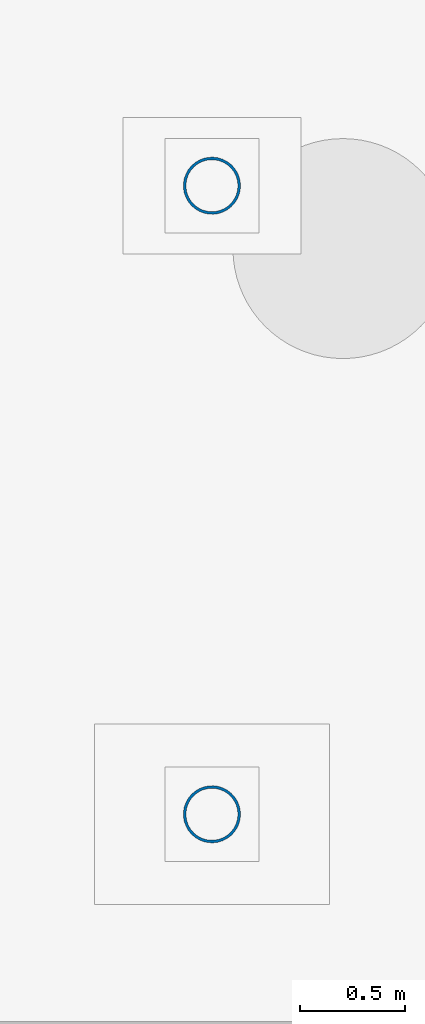
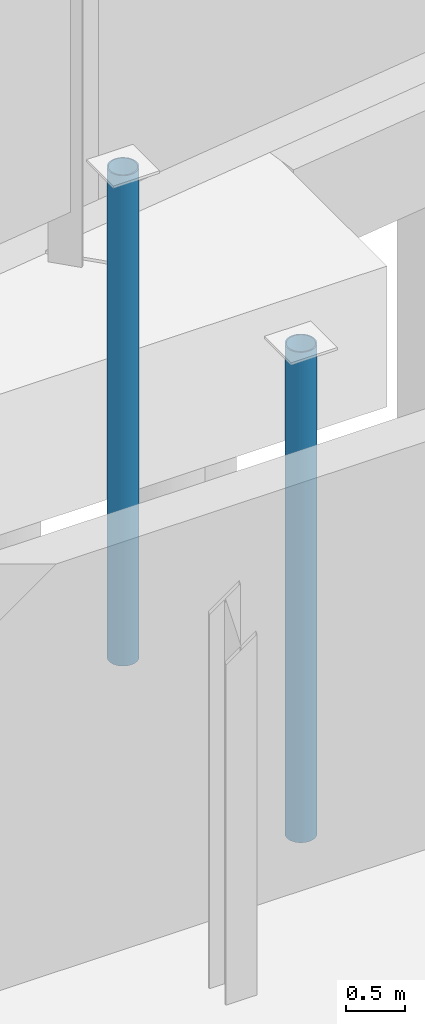
# One storey, part 13 of 55: 2 columns.
"""IFC4 building model written with IfcOpenShell, lengths in metres."""

from ifc_helpers import new_model, si_unit, direction, frame, origin, origin_2d, place, context, subcontext, project, spatial, hollow_circle, extrude, material, material_profile, profile_set, type_object, element, save


model = new_model("IFC4")

# Units and contexts
model_context = context("Model", 3, precision=1e-05, world=origin(), true_north=direction((0.0, 1.0)))
body_context = subcontext(model_context, "Body", "Model", "MODEL_VIEW")
ifc_project = project(units=[si_unit("LENGTHUNIT", "METRE"), si_unit("AREAUNIT", "SQUARE_METRE"), si_unit("VOLUMEUNIT", "CUBIC_METRE"), si_unit("PLANEANGLEUNIT", "RADIAN"), si_unit("MASSUNIT", "GRAM", prefix="KILO")], contexts=[model_context])

# Site, building, storey
site_placement = place(None, origin())
site = spatial("IfcSite", under=ifc_project, at=site_placement, CompositionType="ELEMENT")
building_placement = place(site_placement, origin())
building = spatial("IfcBuilding", under=site, at=building_placement, Name="Sohan Crest Arena", CompositionType="ELEMENT")
storey_placement = place(building_placement, frame((0.0, 0.0, -4.5)))
storey = spatial("IfcBuildingStorey", under=building, at=storey_placement, Name="B1", CompositionType="ELEMENT", Elevation=-4.5)

# Columns
ifc_material = material(Name="Steel S355", Category="steel")
ifc_material_profile = material_profile(ifc_material, hollow_circle(Radius=0.136474609375, WallThickness=0.012451171875, at=origin_2d()), Name="CHS 273x12.5")
ifc_profile_set = profile_set([ifc_material_profile], Name="Steel S355")
column_type = type_object("IfcColumnType", Name="STR-COL-C25", PredefinedType="COLUMN", material=ifc_profile_set)
for number, where, z_axis, x_axis, name in (
    (1, (135.25, 27.199951171875, -0.550048828125), (0.0, 0.0, 1.0), (1.0, 0.0, 0.0), "Structural column COL-BC-BR-S2-1-B1"),
    (2, (135.25, 30.199951171875, -0.550048828125), (0.0, 0.0, 1.0), (1.0, 0.0, 0.0), "Structural column COL-BC-BR-S2-2-B1"),
):
    element("IfcColumn", number, at=place(storey_placement, frame(where, z_axis=z_axis, x_axis=x_axis)), inside=storey, type_object=column_type, Name=name, PredefinedType="COLUMN", context=body_context, shape_type="SweptSolid", body=[
        extrude(hollow_circle(Radius=0.136474609375, WallThickness=0.012451171875, at=origin_2d()), origin(), (0.0, 0.0, 1.0), 5.050048828125),
    ])

save(model, "model.ifc")
